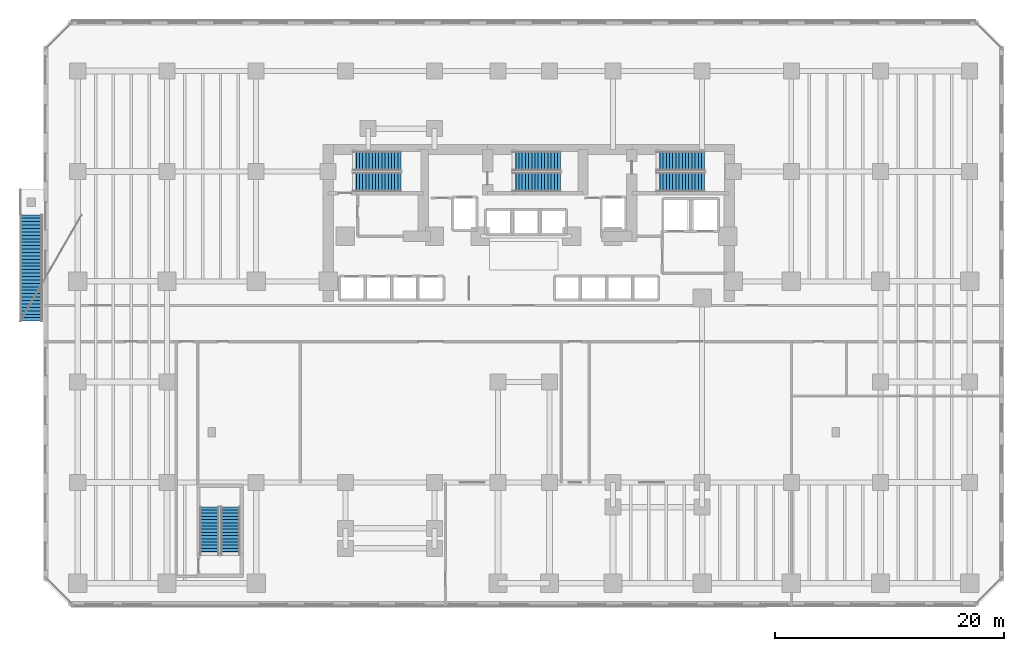
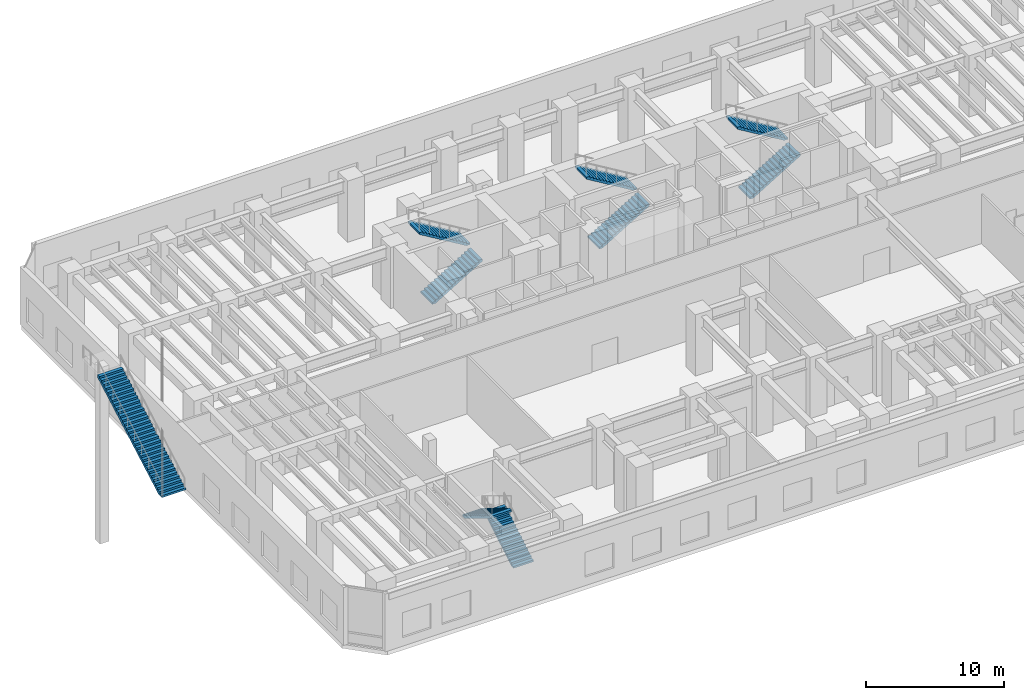
# One storey, part 17 of 21: 9 stair flights, 5 elements without a shape of their own.
"""IFC4 building model written with IfcOpenShell, lengths in metres."""

from ifc_helpers import new_model, si_unit, direction, frame, origin, place, context, subcontext, project, spatial, polyline, outline, extrude, material, type_object, element, aggregate, save


model = new_model("IFC4")

# Units and contexts
model_context = context("Model", 3, precision=1e-05, world=origin(), true_north=direction((0.0, 1.0)))
body_context = subcontext(model_context, "Body", "Model", "MODEL_VIEW")
ifc_project = project(units=[si_unit("LENGTHUNIT", "METRE"), si_unit("AREAUNIT", "SQUARE_METRE"), si_unit("VOLUMEUNIT", "CUBIC_METRE"), si_unit("PLANEANGLEUNIT", "RADIAN"), si_unit("MASSUNIT", "GRAM", prefix="KILO")], contexts=[model_context])

# Site, building, storey
site_placement = place(None, origin())
site = spatial("IfcSite", under=ifc_project, at=site_placement, CompositionType="ELEMENT")
building_placement = place(site_placement, origin())
building = spatial("IfcBuilding", under=site, at=building_placement, Name="Kestravale Grand Hotel", CompositionType="ELEMENT")
storey_placement = place(building_placement, frame((0.0, 0.0, 10.39990234375)))
storey = spatial("IfcBuildingStorey", under=building, at=storey_placement, Name="L02", CompositionType="ELEMENT", Elevation=10.39990234375)

# Stair, stair flights
ifc_material_1 = material(Name="Concrete f'c 45 MPa", Category="concrete")
stair_type_1 = type_object("IfcStairType", Name="ST-CORE-540", PredefinedType="HALF_TURN_STAIR", material=ifc_material_1)
stair_1_placement = place(storey_placement, origin())
stair_1 = element("IfcStair", 1, at=stair_1_placement, inside=storey, type_object=stair_type_1, Name="L02 ST-1", PredefinedType="HALF_TURN_STAIR")
ifc_material_2 = material(Name="Concrete f'c 45 MPa", Category="concrete")
stair_flight_type_1 = type_object("IfcStairFlightType", Name="STF-CORE-540", PredefinedType="STRAIGHT", material=ifc_material_2)
stair_flight_1_placement = place(storey_placement, frame((24.080078125, 37.489990234375, 0.0), z_axis=(0.0, 0.0, 1.0), x_axis=(1.0, 0.0, 0.0)))
stair_flight_1 = element("IfcStairFlight", 2, at=stair_flight_1_placement, type_object=stair_flight_type_1, Name="ST-1 flight 1", NumberOfRisers=16, NumberOfTreads=15, PredefinedType="STRAIGHT", RiserHeight=0.16875, TreadLength=0.28, context=body_context, shape_type="SweptSolid", body=[
    extrude(outline(polyline([(0.0, 0.0), (0.0, 0.168701171875), (0.280029296875, 0.168701171875), (0.280029296875, 0.33740234375), (0.56005859375, 0.33740234375), (0.56005859375, 0.50634765625), (0.840087890625, 0.50634765625), (0.840087890625, 0.675048828125), (1.1201171875, 0.675048828125), (1.1201171875, 0.84375), (1.39990234375, 0.84375), (1.39990234375, 1.012451171875), (1.679931640625, 1.012451171875), (1.679931640625, 1.18115234375), (1.9599609375, 1.18115234375), (1.9599609375, 1.35009765625), (2.239990234375, 1.35009765625), (2.239990234375, 1.518798828125), (2.52001953125, 1.518798828125), (2.52001953125, 1.6875), (2.800048828125, 1.6875), (2.800048828125, 1.856201171875), (3.080078125, 1.856201171875), (3.080078125, 2.02490234375), (3.360107421875, 2.02490234375), (3.360107421875, 2.19384765625), (3.639892578125, 2.19384765625), (3.639892578125, 2.362548828125), (3.919921875, 2.362548828125), (3.919921875, 2.53125), (4.199951171875, 2.53125), (4.199951171875, 2.699951171875), (4.199951171875, 2.356201171875), (0.29052734375, 0.0), (0.0, 0.0)])), frame((0.0, 0.83984375, 0.0), z_axis=(0.0, -1.0, 0.0), x_axis=(1.0, 0.0, 0.0)), (0.0, 0.0, 1.0), 1.679931640625),
])
stair_flight_2_placement = place(storey_placement, frame((28.280029296875, 39.320068359375, 2.7001953125), z_axis=(0.0, 0.0, 1.0), x_axis=(-1.0, 0.0, 0.0)))
stair_flight_2 = element("IfcStairFlight", 3, at=stair_flight_2_placement, type_object=stair_flight_type_1, Name="ST-1 flight 2", NumberOfRisers=16, NumberOfTreads=15, PredefinedType="STRAIGHT", RiserHeight=0.16875, TreadLength=0.28, context=body_context, shape_type="SweptSolid", body=[
    extrude(outline(polyline([(0.0, 0.0), (0.0, 0.168701171875), (0.280029296875, 0.168701171875), (0.280029296875, 0.33740234375), (0.56005859375, 0.33740234375), (0.56005859375, 0.50634765625), (0.840087890625, 0.50634765625), (0.840087890625, 0.675048828125), (1.1201171875, 0.675048828125), (1.1201171875, 0.84375), (1.39990234375, 0.84375), (1.39990234375, 1.012451171875), (1.679931640625, 1.012451171875), (1.679931640625, 1.18115234375), (1.9599609375, 1.18115234375), (1.9599609375, 1.35009765625), (2.239990234375, 1.35009765625), (2.239990234375, 1.518798828125), (2.52001953125, 1.518798828125), (2.52001953125, 1.6875), (2.800048828125, 1.6875), (2.800048828125, 1.856201171875), (3.080078125, 1.856201171875), (3.080078125, 2.02490234375), (3.360107421875, 2.02490234375), (3.360107421875, 2.19384765625), (3.639892578125, 2.19384765625), (3.639892578125, 2.362548828125), (3.919921875, 2.362548828125), (3.919921875, 2.53125), (4.199951171875, 2.53125), (4.199951171875, 2.699951171875), (4.199951171875, 2.356201171875), (0.29052734375, 0.0), (0.0, 0.0)])), frame((0.0, 0.83984375, 0.0), z_axis=(0.0, -1.0, 0.0), x_axis=(1.0, 0.0, 0.0)), (0.0, 0.0, 1.0), 1.679931640625),
])
aggregate(stair_1, [stair_flight_1, stair_flight_2])

stair_2_placement = place(storey_placement, origin())
stair_2 = element("IfcStair", 4, at=stair_2_placement, inside=storey, type_object=stair_type_1, Name="L02 ST-2", PredefinedType="HALF_TURN_STAIR")
stair_flight_3_placement = place(storey_placement, frame((38.030029296875, 37.489990234375, 0.0), z_axis=(0.0, 0.0, 1.0), x_axis=(1.0, 0.0, 0.0)))
stair_flight_3 = element("IfcStairFlight", 5, at=stair_flight_3_placement, type_object=stair_flight_type_1, Name="ST-2 flight 1", NumberOfRisers=16, NumberOfTreads=15, PredefinedType="STRAIGHT", RiserHeight=0.16875, TreadLength=0.28, context=body_context, shape_type="SweptSolid", body=[
    extrude(outline(polyline([(0.0, 0.0), (0.0, 0.168701171875), (0.280029296875, 0.168701171875), (0.280029296875, 0.33740234375), (0.56005859375, 0.33740234375), (0.56005859375, 0.50634765625), (0.840087890625, 0.50634765625), (0.840087890625, 0.675048828125), (1.1201171875, 0.675048828125), (1.1201171875, 0.84375), (1.39990234375, 0.84375), (1.39990234375, 1.012451171875), (1.679931640625, 1.012451171875), (1.679931640625, 1.18115234375), (1.9599609375, 1.18115234375), (1.9599609375, 1.35009765625), (2.239990234375, 1.35009765625), (2.239990234375, 1.518798828125), (2.52001953125, 1.518798828125), (2.52001953125, 1.6875), (2.800048828125, 1.6875), (2.800048828125, 1.856201171875), (3.080078125, 1.856201171875), (3.080078125, 2.02490234375), (3.360107421875, 2.02490234375), (3.360107421875, 2.19384765625), (3.639892578125, 2.19384765625), (3.639892578125, 2.362548828125), (3.919921875, 2.362548828125), (3.919921875, 2.53125), (4.199951171875, 2.53125), (4.199951171875, 2.699951171875), (4.199951171875, 2.356201171875), (0.29052734375, 0.0), (0.0, 0.0)])), frame((0.0, 0.83984375, 0.0), z_axis=(0.0, -1.0, 0.0), x_axis=(1.0, 0.0, 0.0)), (0.0, 0.0, 1.0), 1.679931640625),
])
stair_flight_4_placement = place(storey_placement, frame((42.22998046875, 39.320068359375, 2.7001953125), z_axis=(0.0, 0.0, 1.0), x_axis=(-1.0, 0.0, 0.0)))
stair_flight_4 = element("IfcStairFlight", 6, at=stair_flight_4_placement, type_object=stair_flight_type_1, Name="ST-2 flight 2", NumberOfRisers=16, NumberOfTreads=15, PredefinedType="STRAIGHT", RiserHeight=0.16875, TreadLength=0.28, context=body_context, shape_type="SweptSolid", body=[
    extrude(outline(polyline([(0.0, 0.0), (0.0, 0.168701171875), (0.280029296875, 0.168701171875), (0.280029296875, 0.33740234375), (0.56005859375, 0.33740234375), (0.56005859375, 0.50634765625), (0.840087890625, 0.50634765625), (0.840087890625, 0.675048828125), (1.1201171875, 0.675048828125), (1.1201171875, 0.84375), (1.39990234375, 0.84375), (1.39990234375, 1.012451171875), (1.679931640625, 1.012451171875), (1.679931640625, 1.18115234375), (1.9599609375, 1.18115234375), (1.9599609375, 1.35009765625), (2.239990234375, 1.35009765625), (2.239990234375, 1.518798828125), (2.52001953125, 1.518798828125), (2.52001953125, 1.6875), (2.800048828125, 1.6875), (2.800048828125, 1.856201171875), (3.080078125, 1.856201171875), (3.080078125, 2.02490234375), (3.360107421875, 2.02490234375), (3.360107421875, 2.19384765625), (3.639892578125, 2.19384765625), (3.639892578125, 2.362548828125), (3.919921875, 2.362548828125), (3.919921875, 2.53125), (4.199951171875, 2.53125), (4.199951171875, 2.699951171875), (4.199951171875, 2.356201171875), (0.29052734375, 0.0), (0.0, 0.0)])), frame((0.0, 0.83984375, 0.0), z_axis=(0.0, -1.0, 0.0), x_axis=(1.0, 0.0, 0.0)), (0.0, 0.0, 1.0), 1.679931640625),
])
aggregate(stair_2, [stair_flight_3, stair_flight_4])

stair_3_placement = place(storey_placement, origin())
stair_3 = element("IfcStair", 7, at=stair_3_placement, inside=storey, type_object=stair_type_1, Name="L02 ST-3", PredefinedType="HALF_TURN_STAIR")
stair_flight_5_placement = place(storey_placement, frame((50.6298828125, 37.489990234375, 0.0), z_axis=(0.0, 0.0, 1.0), x_axis=(1.0, 0.0, 0.0)))
stair_flight_5 = element("IfcStairFlight", 8, at=stair_flight_5_placement, type_object=stair_flight_type_1, Name="ST-3 flight 1", NumberOfRisers=16, NumberOfTreads=15, PredefinedType="STRAIGHT", RiserHeight=0.16875, TreadLength=0.28, context=body_context, shape_type="SweptSolid", body=[
    extrude(outline(polyline([(0.0, 0.0), (0.0, 0.168701171875), (0.280029296875, 0.168701171875), (0.280029296875, 0.33740234375), (0.56005859375, 0.33740234375), (0.56005859375, 0.50634765625), (0.840087890625, 0.50634765625), (0.840087890625, 0.675048828125), (1.1201171875, 0.675048828125), (1.1201171875, 0.84375), (1.39990234375, 0.84375), (1.39990234375, 1.012451171875), (1.679931640625, 1.012451171875), (1.679931640625, 1.18115234375), (1.9599609375, 1.18115234375), (1.9599609375, 1.35009765625), (2.239990234375, 1.35009765625), (2.239990234375, 1.518798828125), (2.52001953125, 1.518798828125), (2.52001953125, 1.6875), (2.800048828125, 1.6875), (2.800048828125, 1.856201171875), (3.080078125, 1.856201171875), (3.080078125, 2.02490234375), (3.360107421875, 2.02490234375), (3.360107421875, 2.19384765625), (3.639892578125, 2.19384765625), (3.639892578125, 2.362548828125), (3.919921875, 2.362548828125), (3.919921875, 2.53125), (4.199951171875, 2.53125), (4.199951171875, 2.699951171875), (4.199951171875, 2.356201171875), (0.29052734375, 0.0), (0.0, 0.0)])), frame((0.0, 0.83984375, 0.0), z_axis=(0.0, -1.0, 0.0), x_axis=(1.0, 0.0, 0.0)), (0.0, 0.0, 1.0), 1.679931640625),
])
stair_flight_6_placement = place(storey_placement, frame((54.830078125, 39.320068359375, 2.7001953125), z_axis=(0.0, 0.0, 1.0), x_axis=(-1.0, 0.0, 0.0)))
stair_flight_6 = element("IfcStairFlight", 9, at=stair_flight_6_placement, type_object=stair_flight_type_1, Name="ST-3 flight 2", NumberOfRisers=16, NumberOfTreads=15, PredefinedType="STRAIGHT", RiserHeight=0.16875, TreadLength=0.28, context=body_context, shape_type="SweptSolid", body=[
    extrude(outline(polyline([(0.0, 0.0), (0.0, 0.168701171875), (0.280029296875, 0.168701171875), (0.280029296875, 0.33740234375), (0.56005859375, 0.33740234375), (0.56005859375, 0.50634765625), (0.840087890625, 0.50634765625), (0.840087890625, 0.675048828125), (1.1201171875, 0.675048828125), (1.1201171875, 0.84375), (1.39990234375, 0.84375), (1.39990234375, 1.012451171875), (1.679931640625, 1.012451171875), (1.679931640625, 1.18115234375), (1.9599609375, 1.18115234375), (1.9599609375, 1.35009765625), (2.239990234375, 1.35009765625), (2.239990234375, 1.518798828125), (2.52001953125, 1.518798828125), (2.52001953125, 1.6875), (2.800048828125, 1.6875), (2.800048828125, 1.856201171875), (3.080078125, 1.856201171875), (3.080078125, 2.02490234375), (3.360107421875, 2.02490234375), (3.360107421875, 2.19384765625), (3.639892578125, 2.19384765625), (3.639892578125, 2.362548828125), (3.919921875, 2.362548828125), (3.919921875, 2.53125), (4.199951171875, 2.53125), (4.199951171875, 2.699951171875), (4.199951171875, 2.356201171875), (0.29052734375, 0.0), (0.0, 0.0)])), frame((0.0, 0.83984375, 0.0), z_axis=(0.0, -1.0, 0.0), x_axis=(1.0, 0.0, 0.0)), (0.0, 0.0, 1.0), 1.679931640625),
])
aggregate(stair_3, [stair_flight_5, stair_flight_6])

stair_4_placement = place(storey_placement, origin())
stair_4 = element("IfcStair", 10, at=stair_4_placement, inside=storey, type_object=stair_type_1, Name="L02 ST-4", PredefinedType="HALF_TURN_STAIR")
stair_flight_7_placement = place(storey_placement, frame((13.360107421875, 4.8798828125, 0.0), z_axis=(0.0, 0.0, 1.0), x_axis=(0.0, 1.0, 0.0)))
stair_flight_7 = element("IfcStairFlight", 11, at=stair_flight_7_placement, type_object=stair_flight_type_1, Name="ST-4 flight 1", NumberOfRisers=16, NumberOfTreads=15, PredefinedType="STRAIGHT", RiserHeight=0.16875, TreadLength=0.28, context=body_context, shape_type="SweptSolid", body=[
    extrude(outline(polyline([(0.0, 0.0), (0.0, 0.168701171875), (0.280029296875, 0.168701171875), (0.280029296875, 0.33740234375), (0.56005859375, 0.33740234375), (0.56005859375, 0.50634765625), (0.840087890625, 0.50634765625), (0.840087890625, 0.675048828125), (1.1201171875, 0.675048828125), (1.1201171875, 0.84375), (1.39990234375, 0.84375), (1.39990234375, 1.012451171875), (1.679931640625, 1.012451171875), (1.679931640625, 1.18115234375), (1.9599609375, 1.18115234375), (1.9599609375, 1.35009765625), (2.239990234375, 1.35009765625), (2.239990234375, 1.518798828125), (2.52001953125, 1.518798828125), (2.52001953125, 1.6875), (2.800048828125, 1.6875), (2.800048828125, 1.856201171875), (3.080078125, 1.856201171875), (3.080078125, 2.02490234375), (3.360107421875, 2.02490234375), (3.360107421875, 2.19384765625), (3.639892578125, 2.19384765625), (3.639892578125, 2.362548828125), (3.919921875, 2.362548828125), (3.919921875, 2.53125), (4.199951171875, 2.53125), (4.199951171875, 2.699951171875), (4.199951171875, 2.356201171875), (0.29052734375, 0.0), (0.0, 0.0)])), frame((0.0, 0.83984375, 0.0), z_axis=(0.0, -1.0, 0.0), x_axis=(1.0, 0.0, 0.0)), (0.0, 0.0, 1.0), 1.679931640625),
])
stair_flight_8_placement = place(storey_placement, frame((11.530029296875, 9.080078125, 2.7001953125), z_axis=(0.0, 0.0, 1.0), x_axis=(0.0, -1.0, 0.0)))
stair_flight_8 = element("IfcStairFlight", 12, at=stair_flight_8_placement, type_object=stair_flight_type_1, Name="ST-4 flight 2", NumberOfRisers=16, NumberOfTreads=15, PredefinedType="STRAIGHT", RiserHeight=0.16875, TreadLength=0.28, context=body_context, shape_type="SweptSolid", body=[
    extrude(outline(polyline([(0.0, 0.0), (0.0, 0.168701171875), (0.280029296875, 0.168701171875), (0.280029296875, 0.33740234375), (0.56005859375, 0.33740234375), (0.56005859375, 0.50634765625), (0.840087890625, 0.50634765625), (0.840087890625, 0.675048828125), (1.1201171875, 0.675048828125), (1.1201171875, 0.84375), (1.39990234375, 0.84375), (1.39990234375, 1.012451171875), (1.679931640625, 1.012451171875), (1.679931640625, 1.18115234375), (1.9599609375, 1.18115234375), (1.9599609375, 1.35009765625), (2.239990234375, 1.35009765625), (2.239990234375, 1.518798828125), (2.52001953125, 1.518798828125), (2.52001953125, 1.6875), (2.800048828125, 1.6875), (2.800048828125, 1.856201171875), (3.080078125, 1.856201171875), (3.080078125, 2.02490234375), (3.360107421875, 2.02490234375), (3.360107421875, 2.19384765625), (3.639892578125, 2.19384765625), (3.639892578125, 2.362548828125), (3.919921875, 2.362548828125), (3.919921875, 2.53125), (4.199951171875, 2.53125), (4.199951171875, 2.699951171875), (4.199951171875, 2.356201171875), (0.29052734375, 0.0), (0.0, 0.0)])), frame((0.0, 0.83984375, 0.0), z_axis=(0.0, -1.0, 0.0), x_axis=(1.0, 0.0, 0.0)), (0.0, 0.0, 1.0), 1.679931640625),
])
aggregate(stair_4, [stair_flight_7, stair_flight_8])

# Stair, stair flight
ifc_material_3 = material(Name="Concrete f'c 45 MPa", Category="concrete")
stair_type_2 = type_object("IfcStairType", Name="ST-EXT-GDN", PredefinedType="STRAIGHT_RUN_STAIR", material=ifc_material_3)
stair_5_placement = place(storey_placement, origin())
stair_5 = element("IfcStair", 13, at=stair_5_placement, inside=storey, type_object=stair_type_2, Name="L02 cascading public garden stair 3", PredefinedType="STRAIGHT_RUN_STAIR")
ifc_material_4 = material(Name="Concrete f'c 45 MPa", Category="concrete")
stair_flight_type_2 = type_object("IfcStairFlightType", Name="STF-EXT-GDN", PredefinedType="STRAIGHT", material=ifc_material_4)
stair_flight_9_placement = place(storey_placement, frame((-4.050048828125, 25.320068359375, 0.0), z_axis=(0.0, 0.0, 1.0), x_axis=(0.0, 1.0, 0.0)))
stair_flight_9 = element("IfcStairFlight", 14, at=stair_flight_9_placement, type_object=stair_flight_type_2, Name="ST-G3 flight 1", NumberOfRisers=32, NumberOfTreads=31, PredefinedType="STRAIGHT", RiserHeight=0.16875, TreadLength=0.3, context=body_context, shape_type="SweptSolid", body=[
    extrude(outline(polyline([(0.0, 0.0), (0.0, 0.168701171875), (0.300048828125, 0.168701171875), (0.300048828125, 0.33740234375), (0.60009765625, 0.33740234375), (0.60009765625, 0.50634765625), (0.89990234375, 0.50634765625), (0.89990234375, 0.675048828125), (1.199951171875, 0.675048828125), (1.199951171875, 0.84375), (1.5, 0.84375), (1.5, 1.012451171875), (1.800048828125, 1.012451171875), (1.800048828125, 1.18115234375), (2.10009765625, 1.18115234375), (2.10009765625, 1.35009765625), (2.39990234375, 1.35009765625), (2.39990234375, 1.518798828125), (2.699951171875, 1.518798828125), (2.699951171875, 1.6875), (3.0, 1.6875), (3.0, 1.856201171875), (3.300048828125, 1.856201171875), (3.300048828125, 2.02490234375), (3.60009765625, 2.02490234375), (3.60009765625, 2.19384765625), (3.89990234375, 2.19384765625), (3.89990234375, 2.362548828125), (4.199951171875, 2.362548828125), (4.199951171875, 2.53125), (4.5, 2.53125), (4.5, 2.699951171875), (4.800048828125, 2.699951171875), (4.800048828125, 2.86865234375), (5.10009765625, 2.86865234375), (5.10009765625, 3.03759765625), (5.39990234375, 3.03759765625), (5.39990234375, 3.206298828125), (5.699951171875, 3.206298828125), (5.699951171875, 3.375), (6.0, 3.375), (6.0, 3.543701171875), (6.300048828125, 3.543701171875), (6.300048828125, 3.71240234375), (6.60009765625, 3.71240234375), (6.60009765625, 3.88134765625), (6.89990234375, 3.88134765625), (6.89990234375, 4.050048828125), (7.199951171875, 4.050048828125), (7.199951171875, 4.21875), (7.5, 4.21875), (7.5, 4.387451171875), (7.800048828125, 4.387451171875), (7.800048828125, 4.55615234375), (8.10009765625, 4.55615234375), (8.10009765625, 4.72509765625), (8.39990234375, 4.72509765625), (8.39990234375, 4.893798828125), (8.699951171875, 4.893798828125), (8.699951171875, 5.0625), (9.0, 5.0625), (9.0, 5.231201171875), (9.300048828125, 5.231201171875), (9.300048828125, 5.39990234375), (9.300048828125, 4.978759765625), (0.44873046875, 0.0), (0.0, 0.0)])), frame((0.0, 1.0, 0.0), z_axis=(0.0, -1.0, 0.0), x_axis=(1.0, 0.0, 0.0)), (0.0, 0.0, 1.0), 2.0),
])
aggregate(stair_5, [stair_flight_9])

save(model, "model.ifc")
